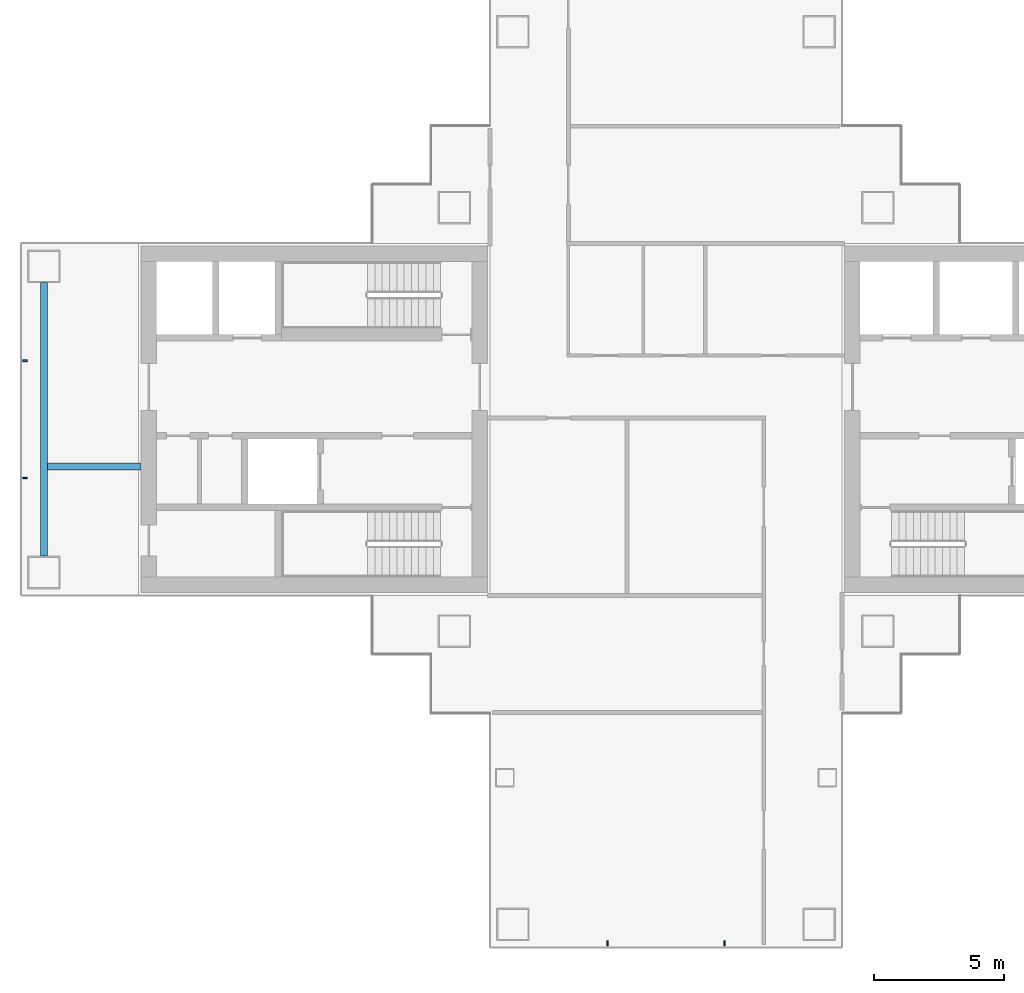
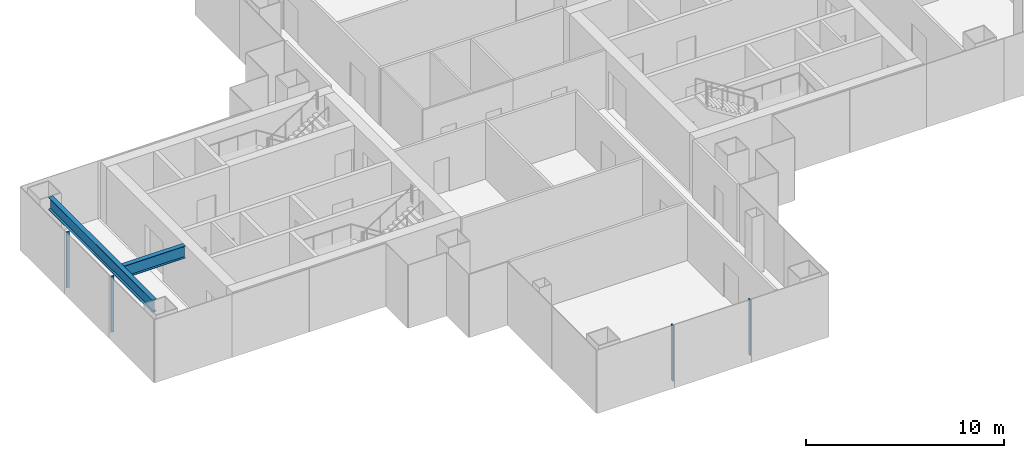
# One storey, part 3 of 20: 4 members, 2 beams, 2 elements without a shape of their own.
"""IFC4 building model written with IfcOpenShell, lengths in metres."""

from ifc_helpers import new_model, si_unit, direction, frame, origin, origin_2d, place, context, subcontext, project, spatial, rectangle, i_section, extrude, material, layer, layer_set, material_profile, profile_set, type_object, element, aggregate, save


model = new_model("IFC4")

# Units and contexts
model_context = context("Model", 3, precision=1e-05, world=origin(), true_north=direction((0.0, 1.0)))
body_context = subcontext(model_context, "Body", "Model", "MODEL_VIEW")
ifc_project = project(units=[si_unit("LENGTHUNIT", "METRE"), si_unit("AREAUNIT", "SQUARE_METRE"), si_unit("VOLUMEUNIT", "CUBIC_METRE"), si_unit("PLANEANGLEUNIT", "RADIAN"), si_unit("MASSUNIT", "GRAM", prefix="KILO")], contexts=[model_context])

# Site, building, storey
site_placement = place(None, origin())
site = spatial("IfcSite", under=ifc_project, at=site_placement, CompositionType="ELEMENT")
building_placement = place(site_placement, origin())
building = spatial("IfcBuilding", under=site, at=building_placement, Name="Shamsa Quay Exchange Towers", CompositionType="ELEMENT")
storey_placement = place(building_placement, frame((0.0, 0.0, 109.199951171875)))
storey = spatial("IfcBuildingStorey", under=building, at=storey_placement, Name="L25", CompositionType="ELEMENT", Elevation=109.199951171875)

# Curtain wall, members
ifc_material_1 = material(Name="Aluminium EN AW-6063 T6, black anodised", Category="aluminium")
ifc_layer = layer(ifc_material_1, 0.280029296875)
ifc_layer_set = layer_set([ifc_layer], Name="CW-1 UNITISED VISION GLASS")
curtain_wall_type = type_object("IfcCurtainWallType", Name="CW-1 UNITISED VISION GLASS", PredefinedType="NOTDEFINED", material=ifc_layer_set)
curtain_wall_1_placement = place(storey_placement, origin())
curtain_wall_1 = element("IfcCurtainWall", 1, at=curtain_wall_1_placement, inside=storey, type_object=curtain_wall_type, Name="CW1 T1-END-V- L25", PredefinedType="NOTDEFINED")
ifc_material_profile_1 = material_profile(ifc_material_1, rectangle(XDim=0.179931640625, YDim=0.06005859375, at=origin_2d()), Name="MU60x180")
ifc_profile_set_1 = profile_set([ifc_material_profile_1], Name="Aluminium EN AW-6063 T6, black anodised")
member_type = type_object("IfcMemberType", Name="CW1 MULLION 60x180", PredefinedType="MULLION", material=ifc_profile_set_1)
member_1_placement = place(storey_placement, frame((-36.0, -20.10009765625, 0.0), z_axis=(0.0, 0.0, 1.0), x_axis=(0.0, 1.0, 0.0)))
member_1 = element("IfcMember", 2, at=member_1_placement, type_object=member_type, Name="CW1 mullion", PredefinedType="MULLION", context=body_context, shape_type="SweptSolid", body=[
    extrude(rectangle(XDim=0.179931640625, YDim=0.06005859375, at=origin_2d()), origin(), (0.0, 0.0, 1.0), 3.449951171875),
])
member_2_placement = place(storey_placement, frame((-31.5, -20.10009765625, 0.0), z_axis=(0.0, 0.0, 1.0), x_axis=(0.0, 1.0, 0.0)))
member_2 = element("IfcMember", 3, at=member_2_placement, type_object=member_type, Name="CW1 mullion", PredefinedType="MULLION", context=body_context, shape_type="SweptSolid", body=[
    extrude(rectangle(XDim=0.179931640625, YDim=0.06005859375, at=origin_2d()), origin(), (0.0, 0.0, 1.0), 3.449951171875),
])
aggregate(curtain_wall_1, [member_1, member_2])

curtain_wall_2_placement = place(storey_placement, origin())
curtain_wall_2 = element("IfcCurtainWall", 4, at=curtain_wall_2_placement, inside=storey, type_object=curtain_wall_type, Name="CW1 T1-END-U- L25", PredefinedType="NOTDEFINED")
member_3_placement = place(storey_placement, frame((-58.35009765625, 2.25, 0.0)))
member_3 = element("IfcMember", 5, at=member_3_placement, type_object=member_type, Name="CW1 mullion", PredefinedType="MULLION", context=body_context, shape_type="SweptSolid", body=[
    extrude(rectangle(XDim=0.179931640625, YDim=0.06005859375, at=origin_2d()), origin(), (0.0, 0.0, 1.0), 3.449951171875),
])
member_4_placement = place(storey_placement, frame((-58.35009765625, -2.25, 0.0)))
member_4 = element("IfcMember", 6, at=member_4_placement, type_object=member_type, Name="CW1 mullion", PredefinedType="MULLION", context=body_context, shape_type="SweptSolid", body=[
    extrude(rectangle(XDim=0.179931640625, YDim=0.06005859375, at=origin_2d()), origin(), (0.0, 0.0, 1.0), 3.449951171875),
])
aggregate(curtain_wall_2, [member_3, member_4])

# Beams
ifc_material_2 = material(Name="Steel S355", Category="steel")
ifc_material_profile_2 = material_profile(ifc_material_2, i_section(OverallWidth=0.26611328125, OverallDepth=0.7578125, WebThickness=0.013916015625, FlangeThickness=0.019287109375, at=origin_2d()), Name="W30x108")
ifc_profile_set_2 = profile_set([ifc_material_profile_2], Name="Steel S355")
beam_type = type_object("IfcBeamType", Name="End-zone beam W30x108", PredefinedType="BEAM", material=ifc_profile_set_2)
beam_1_placement = place(storey_placement, frame((-57.625, -5.25, 3.171142578125), z_axis=(0.0, 1.0, 0.0), x_axis=(-1.0, 0.0, 0.0)))
element("IfcBeam", 7, at=beam_1_placement, inside=storey, type_object=beam_type, Name="End beam T1 U- end zone L25", PredefinedType="BEAM", context=body_context, shape_type="SweptSolid", body=[
    extrude(i_section(OverallWidth=0.26611328125, OverallDepth=0.7578125, WebThickness=0.013916015625, FlangeThickness=0.019287109375, at=origin_2d()), origin(), (0.0, 0.0, 1.0), 10.5),
])
beam_2_placement = place(storey_placement, frame((-53.89990234375, -1.800048828125, 3.171142578125), z_axis=(-1.0, 0.0, 0.0), x_axis=(0.0, -1.0, 0.0)))
element("IfcBeam", 8, at=beam_2_placement, inside=storey, type_object=beam_type, Name="Spine beam T1 U- end zone L25", PredefinedType="BEAM", context=body_context, shape_type="SweptSolid", body=[
    extrude(i_section(OverallWidth=0.26611328125, OverallDepth=0.7578125, WebThickness=0.013916015625, FlangeThickness=0.019287109375, at=origin_2d()), origin(), (0.0, 0.0, 1.0), 3.592041015625),
])

save(model, "model.ifc")
